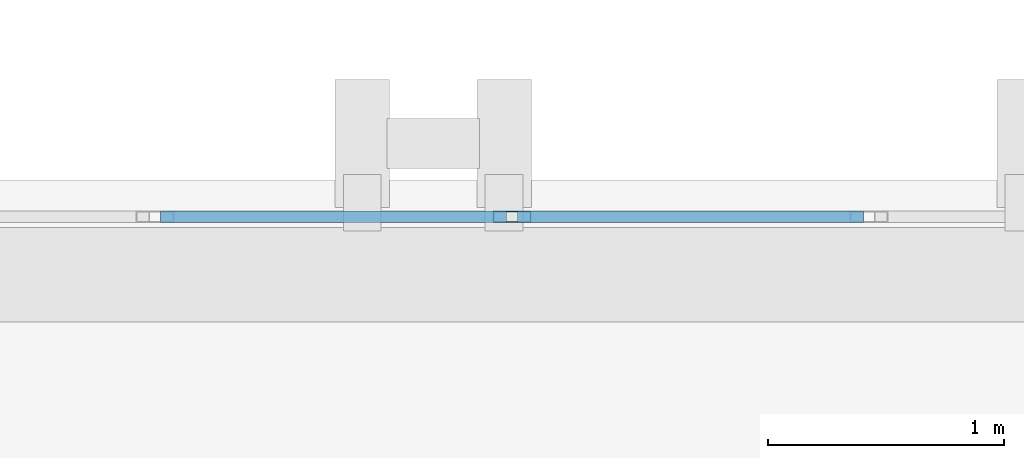
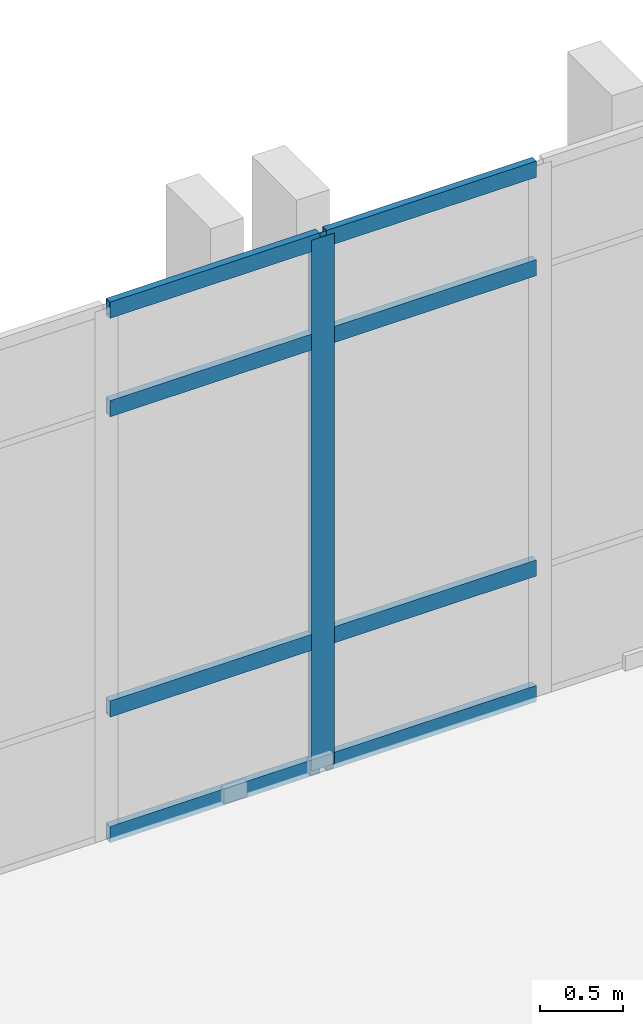
# One storey, part 104 of 193: 9 members, 1 element without a shape of its own.
"""IFC4 building model written with IfcOpenShell, lengths in metres."""

from ifc_helpers import new_model, si_unit, direction, frame, origin, origin_2d, place, context, subcontext, project, spatial, hollow_rectangle, extrude, material, layer, layer_set, material_profile, profile_set, type_object, element, aggregate, save


model = new_model("IFC4")

# Units and contexts
model_context = context("Model", 3, precision=1e-05, world=origin(), true_north=direction((0.0, 1.0)))
body_context = subcontext(model_context, "Body", "Model", "MODEL_VIEW")
ifc_project = project(units=[si_unit("LENGTHUNIT", "METRE"), si_unit("AREAUNIT", "SQUARE_METRE"), si_unit("VOLUMEUNIT", "CUBIC_METRE"), si_unit("PLANEANGLEUNIT", "RADIAN"), si_unit("MASSUNIT", "GRAM", prefix="KILO")], contexts=[model_context])

# Site, building, storey
site_placement = place(None, origin())
site = spatial("IfcSite", under=ifc_project, at=site_placement, CompositionType="ELEMENT")
building_placement = place(site_placement, origin())
building = spatial("IfcBuilding", under=site, at=building_placement, Name="Qalavern Law Courts", CompositionType="ELEMENT")
storey_placement = place(building_placement, frame((0.0, 0.0, 10.199951171875)))
storey = spatial("IfcBuildingStorey", under=building, at=storey_placement, Name="L02", CompositionType="ELEMENT", Elevation=10.199951171875)

# Curtain wall, members
ifc_material_1 = material(Name="Anodised aluminium and insulated glazing", Category="aluminium")
ifc_layer = layer(ifc_material_1, 0.172119140625)
ifc_layer_set = layer_set([ifc_layer], Name="Anodised aluminium and insulated glazing")
curtain_wall_type = type_object("IfcCurtainWallType", Name="ENV-CW-COURT", PredefinedType="USERDEFINED", material=ifc_layer_set)
curtain_wall_placement = place(storey_placement, origin())
curtain_wall = element("IfcCurtainWall", 1, at=curtain_wall_placement, inside=storey, type_object=curtain_wall_type, Name="V4 unitised curtain wall L02 north 1", ObjectType="UNITISED CURTAIN WALL", PredefinedType="USERDEFINED")
ifc_material_2 = material(Name="Anodised aluminium", Category="aluminium")
ifc_material_profile_1 = material_profile(ifc_material_2, hollow_rectangle(XDim=0.048095703125, YDim=0.159912109375, WallThickness=0.00390625, at=origin_2d()), Name="ALU MULLION 48x160")
ifc_profile_set_1 = profile_set([ifc_material_profile_1], Name="Anodised aluminium")
member_type_1 = type_object("IfcMemberType", Name="ENV-CWM-48x160", PredefinedType="MULLION", material=ifc_profile_set_1)
member_1_placement = place(storey_placement, frame((96.833251953125, 85.64501953125, 0.0), z_axis=(0.0, 0.0, 1.0), x_axis=(0.0, -1.0, 0.0)))
member_1 = element("IfcMember", 2, at=member_1_placement, type_object=member_type_1, Name="CW-03 mullion 7", PredefinedType="MULLION", context=body_context, shape_type="SweptSolid", body=[
    extrude(hollow_rectangle(XDim=0.048095703125, YDim=0.159912109375, WallThickness=0.00390625, at=origin_2d()), origin(), (0.0, 0.0, 1.0), 3.9150390625),
])
ifc_material_profile_2 = material_profile(ifc_material_2, hollow_rectangle(XDim=0.048095703125, YDim=0.1201171875, WallThickness=0.00390625, at=origin_2d()), Name="ALU TRANSOM 48x120")
ifc_profile_set_2 = profile_set([ifc_material_profile_2], Name="Anodised aluminium")
member_type_2 = type_object("IfcMemberType", Name="ENV-CWT-48x120", PredefinedType="USERDEFINED", material=ifc_profile_set_2)
member_2_placement = place(storey_placement, frame((98.320556640625, 85.64501953125, 0.024169921875), z_axis=(-1.0, 0.0, 0.0), x_axis=(0.0, -1.0, 0.0)))
member_2 = element("IfcMember", 3, at=member_2_placement, type_object=member_type_2, Name="CW-03 transom 6.1", ObjectType="TRANSOM", PredefinedType="USERDEFINED", context=body_context, shape_type="SweptSolid", body=[
    extrude(hollow_rectangle(XDim=0.048095703125, YDim=0.1201171875, WallThickness=0.00390625, at=origin_2d()), origin(), (0.0, 0.0, 1.0), 1.463134765625),
])
member_3_placement = place(storey_placement, frame((98.320556640625, 85.64501953125, 0.949951171875), z_axis=(-1.0, 0.0, 0.0), x_axis=(0.0, -1.0, 0.0)))
member_3 = element("IfcMember", 4, at=member_3_placement, type_object=member_type_2, Name="CW-03 transom 6.2", ObjectType="TRANSOM", PredefinedType="USERDEFINED", context=body_context, shape_type="SweptSolid", body=[
    extrude(hollow_rectangle(XDim=0.048095703125, YDim=0.1201171875, WallThickness=0.00390625, at=origin_2d()), origin(), (0.0, 0.0, 1.0), 1.463134765625),
])
member_4_placement = place(storey_placement, frame((98.320556640625, 85.64501953125, 3.1650390625), z_axis=(-1.0, 0.0, 0.0), x_axis=(0.0, -1.0, 0.0)))
member_4 = element("IfcMember", 5, at=member_4_placement, type_object=member_type_2, Name="CW-03 transom 6.3", ObjectType="TRANSOM", PredefinedType="USERDEFINED", context=body_context, shape_type="SweptSolid", body=[
    extrude(hollow_rectangle(XDim=0.048095703125, YDim=0.1201171875, WallThickness=0.00390625, at=origin_2d()), origin(), (0.0, 0.0, 1.0), 1.463134765625),
])
member_5_placement = place(storey_placement, frame((98.320556640625, 85.64501953125, 3.89111328125), z_axis=(-1.0, 0.0, 0.0), x_axis=(0.0, -1.0, 0.0)))
member_5 = element("IfcMember", 6, at=member_5_placement, type_object=member_type_2, Name="CW-03 transom 6.4", ObjectType="TRANSOM", PredefinedType="USERDEFINED", context=body_context, shape_type="SweptSolid", body=[
    extrude(hollow_rectangle(XDim=0.048095703125, YDim=0.1201171875, WallThickness=0.00390625, at=origin_2d()), origin(), (0.0, 0.0, 1.0), 1.463134765625),
])
member_6_placement = place(storey_placement, frame((96.809326171875, 85.64501953125, 0.024169921875), z_axis=(-1.0, 0.0, 0.0), x_axis=(0.0, -1.0, 0.0)))
member_6 = element("IfcMember", 7, at=member_6_placement, type_object=member_type_2, Name="CW-03 transom 7.1", ObjectType="TRANSOM", PredefinedType="USERDEFINED", context=body_context, shape_type="SweptSolid", body=[
    extrude(hollow_rectangle(XDim=0.048095703125, YDim=0.1201171875, WallThickness=0.00390625, at=origin_2d()), origin(), (0.0, 0.0, 1.0), 1.463134765625),
])
member_7_placement = place(storey_placement, frame((96.809326171875, 85.64501953125, 0.949951171875), z_axis=(-1.0, 0.0, 0.0), x_axis=(0.0, -1.0, 0.0)))
member_7 = element("IfcMember", 8, at=member_7_placement, type_object=member_type_2, Name="CW-03 transom 7.2", ObjectType="TRANSOM", PredefinedType="USERDEFINED", context=body_context, shape_type="SweptSolid", body=[
    extrude(hollow_rectangle(XDim=0.048095703125, YDim=0.1201171875, WallThickness=0.00390625, at=origin_2d()), origin(), (0.0, 0.0, 1.0), 1.463134765625),
])
member_8_placement = place(storey_placement, frame((96.809326171875, 85.64501953125, 3.1650390625), z_axis=(-1.0, 0.0, 0.0), x_axis=(0.0, -1.0, 0.0)))
member_8 = element("IfcMember", 9, at=member_8_placement, type_object=member_type_2, Name="CW-03 transom 7.3", ObjectType="TRANSOM", PredefinedType="USERDEFINED", context=body_context, shape_type="SweptSolid", body=[
    extrude(hollow_rectangle(XDim=0.048095703125, YDim=0.1201171875, WallThickness=0.00390625, at=origin_2d()), origin(), (0.0, 0.0, 1.0), 1.463134765625),
])
member_9_placement = place(storey_placement, frame((96.809326171875, 85.64501953125, 3.89111328125), z_axis=(-1.0, 0.0, 0.0), x_axis=(0.0, -1.0, 0.0)))
member_9 = element("IfcMember", 10, at=member_9_placement, type_object=member_type_2, Name="CW-03 transom 7.4", ObjectType="TRANSOM", PredefinedType="USERDEFINED", context=body_context, shape_type="SweptSolid", body=[
    extrude(hollow_rectangle(XDim=0.048095703125, YDim=0.1201171875, WallThickness=0.00390625, at=origin_2d()), origin(), (0.0, 0.0, 1.0), 1.463134765625),
])
aggregate(curtain_wall, [member_1, member_2, member_3, member_4, member_5, member_6, member_7, member_8, member_9])

save(model, "model.ifc")
